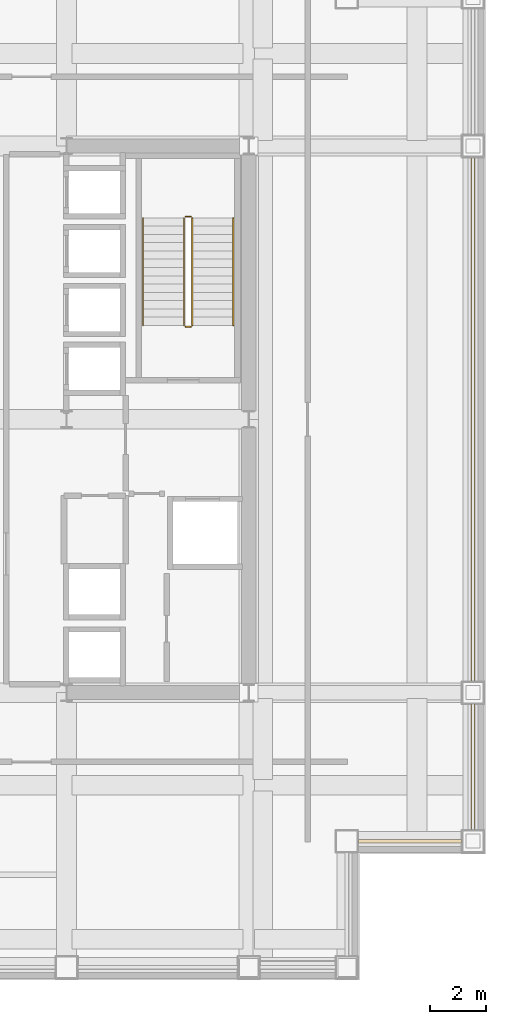
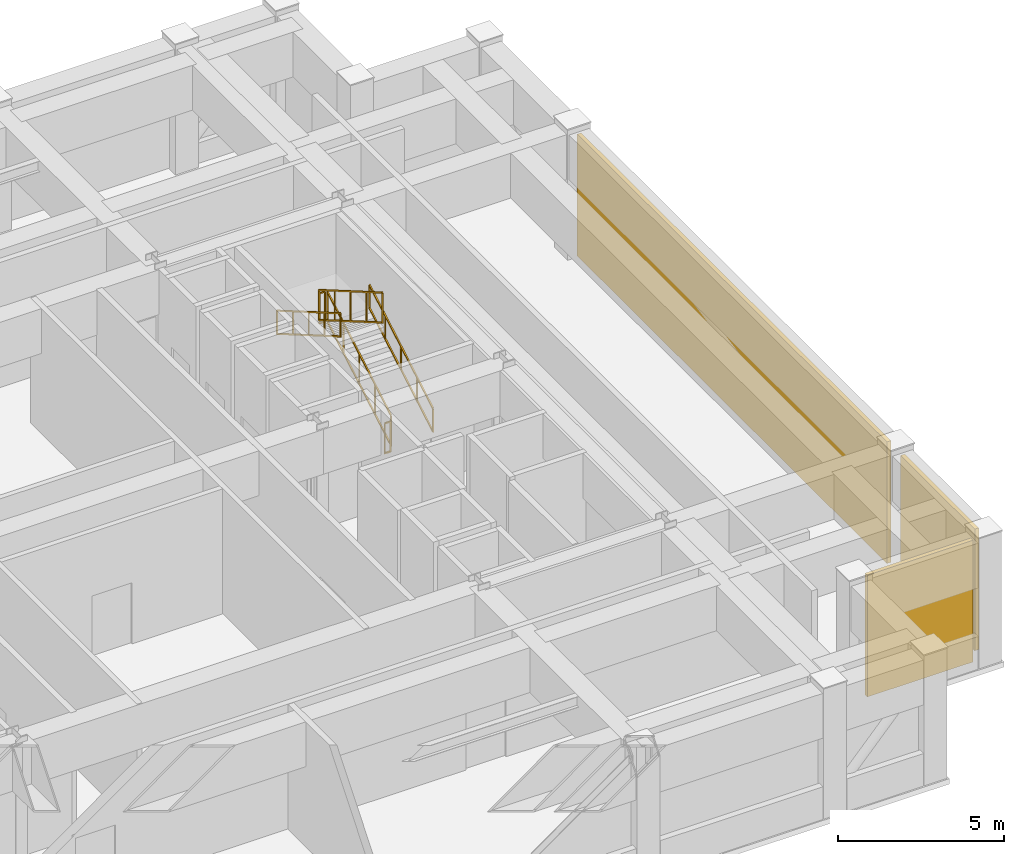
# One storey, part 8 of 9: 6 railings, 3 shading devices.
"""IFC4 building model written with IfcOpenShell, lengths in metres."""

import ifcopenshell
import ifcopenshell.guid

model = None  # the IFC model being written
_history = None  # IfcOwnerHistory: only IFC2X3 demands one
_inside = {}  # id of a spatial element -> (the spatial element, [elements in it])
_under = {}  # id of a project, library or spatial element -> (it, [spatial elements below it])
_declared = {}  # id of a project -> (the project, [libraries it declares])
_typed = {}  # id of a type object -> (the type object, [elements of that type])
_made_of = {}  # id of a material, layer set ... -> (it, [elements and type objects made of it])


def new_model(schema):
    """Start an empty IFC model of exactly this schema.

    Asked for "IFC4X3", IfcOpenShell would pick the latest addendum, in which some entities
    have other attributes; the version numbers below select the first issue.
    IFC2X3 requires an IfcOwnerHistory on every rooted entity: one is made here for all.
    """
    global model, _history
    if schema == "IFC4X3":
        model = ifcopenshell.file(schema_version=(4, 3, 0, 0))
    else:
        model = ifcopenshell.file(schema=schema)
    _inside.clear()
    _under.clear()
    _declared.clear()
    _typed.clear()
    _made_of.clear()
    _history = None
    if model.schema == "IFC2X3":
        org = make("IfcOrganization", Name="unknown")
        user = make(
            "IfcPersonAndOrganization",
            ThePerson=make("IfcPerson", FamilyName="unknown"),
            TheOrganization=org,
        )
        app = make(
            "IfcApplication",
            ApplicationDeveloper=org,
            Version="unknown",
            ApplicationFullName="unknown",
            ApplicationIdentifier="unknown",
        )
        _history = make(
            "IfcOwnerHistory",
            OwningUser=user,
            OwningApplication=app,
            ChangeAction="ADDED",
            CreationDate=0,
        )
    return model


def make(cls, **values):
    """One entity of the class cls with the attributes given. An attribute that is None is left unset."""
    return model.create_entity(
        cls, **{name: value for name, value in values.items() if value is not None}
    )


def rooted(cls, **values):
    """An entity with a GlobalId (a new one), such as an element, a storey or a relation."""
    return make(cls, GlobalId=ifcopenshell.guid.new(), OwnerHistory=_history, **values)


def si_unit(unit_type, name, prefix=None):
    """IfcSIUnit, for example si_unit("LENGTHUNIT", "METRE", prefix="MILLI")."""
    return make("IfcSIUnit", UnitType=unit_type, Prefix=prefix, Name=name)


def assignment(units):
    """IfcUnitAssignment: the units of a project."""
    return None if units is None else make("IfcUnitAssignment", Units=units)


def point(xyz):
    """IfcCartesianPoint."""
    return None if xyz is None else make("IfcCartesianPoint", Coordinates=xyz)


def direction(xyz):
    """IfcDirection."""
    return None if xyz is None else make("IfcDirection", DirectionRatios=xyz)


def frame(location, z_axis=None, x_axis=None):
    """IfcAxis2Placement3D, a coordinate frame: its origin and axes. An axis left out is left unset."""
    return make(
        "IfcAxis2Placement3D",
        Location=point(location),
        Axis=direction(z_axis),
        RefDirection=direction(x_axis),
    )


def frame_2d(location, x_axis=None):
    """IfcAxis2Placement2D, a coordinate frame in the plane: its origin and x axis."""
    return make(
        "IfcAxis2Placement2D", Location=point(location), RefDirection=direction(x_axis)
    )


def origin():
    """The frame at (0, 0, 0) with its axes left unset."""
    return frame((0.0, 0.0, 0.0))


def origin_2d():
    """The frame at (0, 0) in the plane with its x axis left unset."""
    return frame_2d((0.0, 0.0))


def place(relative_to, where):
    """IfcLocalPlacement: puts the frame where relative to a parent placement (None: the world)."""
    return make(
        "IfcLocalPlacement", PlacementRelTo=relative_to, RelativePlacement=where
    )


def context(
    kind, dimensions, precision=None, world=None, true_north=None, identifier=None
):
    """IfcGeometricRepresentationContext, for example the 3D "Model" context."""
    return make(
        "IfcGeometricRepresentationContext",
        ContextIdentifier=identifier,
        ContextType=kind,
        CoordinateSpaceDimension=dimensions,
        Precision=precision,
        WorldCoordinateSystem=world,
        TrueNorth=true_north,
    )


def subcontext(parent, identifier, kind, view, scale=None):
    """IfcGeometricRepresentationSubContext, for example "Body" below "Model"."""
    return make(
        "IfcGeometricRepresentationSubContext",
        ContextIdentifier=identifier,
        ContextType=kind,
        ParentContext=parent,
        TargetScale=scale,
        TargetView=view,
    )


def project(units=None, contexts=None):
    """IfcProject with its units and contexts."""
    return rooted(
        "IfcProject",
        Name="project",
        RepresentationContexts=contexts,
        UnitsInContext=assignment(units),
    )


def spatial(cls, under=None, at=None, **own):
    """A site, building, storey or space (cls), placed at a placement, below another one or the project."""
    s = rooted(cls, ObjectPlacement=at, **own)
    if under is not None:
        _under.setdefault(under.id(), (under, []))[1].append(s)
    return s


def profile(cls, at=None, kind="AREA", **sizes):
    """A parametric profile (cls). Its sizes go by their IFC names, for example OverallWidth=200.0."""
    return make(cls, ProfileType=kind, Position=at, **sizes)


def rectangle(**sizes):
    """IfcRectangleProfileDef."""
    return profile("IfcRectangleProfileDef", **sizes)


def extrude(swept, where, along, depth):
    """IfcExtrudedAreaSolid: the profile swept, set in the frame where, extruded along a direction by depth."""
    return make(
        "IfcExtrudedAreaSolid",
        SweptArea=swept,
        Position=where,
        ExtrudedDirection=direction(along),
        Depth=depth,
    )


def shape(context_of_items, identifier, shape_type, items):
    """IfcShapeRepresentation: the items that make up one representation, for example the "Body"."""
    return make(
        "IfcShapeRepresentation",
        ContextOfItems=context_of_items,
        RepresentationIdentifier=identifier,
        RepresentationType=shape_type,
        Items=items,
    )


def material(Name=None, Category=None):
    """IfcMaterial."""
    return make("IfcMaterial", Name=Name, Category=Category)


def layer(
    of_material, thickness, ventilated=None, Name=None, Category=None, Priority=None
):
    """IfcMaterialLayer: one layer of a wall or slab, of a material (None: an air gap)."""
    return make(
        "IfcMaterialLayer",
        Material=of_material,
        LayerThickness=thickness,
        IsVentilated=ventilated,
        Name=Name,
        Category=Category,
        Priority=Priority,
    )


def layer_set(layers, Name=None):
    """IfcMaterialLayerSet."""
    return make("IfcMaterialLayerSet", MaterialLayers=layers, LayerSetName=Name)


def made_of(thing, what):
    """Note that an element or type object is made of a material, layer set ...; save() writes the relation."""
    if what is not None:
        _made_of.setdefault(what.id(), (what, []))[1].append(thing)
    return thing


def type_object(cls, material=None, **own):
    """A type object (cls), such as IfcWallType, which elements share."""
    return made_of(rooted(cls, **own), material)


def element(
    cls,
    number,
    at=None,
    inside=None,
    cuts=None,
    type_object=None,
    material=None,
    context=None,
    identifier="Body",
    shape_type=None,
    held_by="IfcProductDefinitionShape",
    body=None,
    shapes=None,
    **own,
):
    """One element of the class cls, such as IfcWall. Its Tag is "e" and its number.

    at: its placement. inside: the storey or other place that contains it. cuts: it is an
    opening in that element (IfcRelVoidsElement). A single representation is given by context,
    identifier, shape_type and body (its items); several are given by shapes. held_by: the class
    of the entity that holds the representations. save() writes the other relations.
    """
    e = rooted(cls, Tag="e%d" % number, ObjectPlacement=at, **own)
    if body is not None:
        shapes = [shape(context, identifier, shape_type, body)]
    if shapes is not None:
        e.Representation = make(held_by, Representations=shapes)
    if inside is not None:
        _inside.setdefault(inside.id(), (inside, []))[1].append(e)
    if cuts is not None:
        rooted(
            "IfcRelVoidsElement", RelatingBuildingElement=cuts, RelatedOpeningElement=e
        )
    if type_object is not None:
        _typed.setdefault(type_object.id(), (type_object, []))[1].append(e)
    return made_of(e, material)


def aggregate(whole, parts):
    """IfcRelAggregates: a whole, such as a stair, and the parts it consists of."""
    return rooted("IfcRelAggregates", RelatingObject=whole, RelatedObjects=parts)


def save(model, path):
    """Write the relations noted so far, then the file.

    IfcRelAggregates (storeys below a building ...), IfcRelContainedInSpatialStructure (elements
    in a storey), IfcRelDefinesByType, IfcRelAssociatesMaterial and IfcRelDeclares: one each for
    every whole, place, type object, material and project.
    """
    for whole, parts in _under.values():
        aggregate(whole, parts)
    for where, things in _inside.values():
        rooted(
            "IfcRelContainedInSpatialStructure",
            RelatedElements=things,
            RelatingStructure=where,
        )
    for kind, things in _typed.values():
        rooted("IfcRelDefinesByType", RelatedObjects=things, RelatingType=kind)
    for what, things in _made_of.values():
        rooted("IfcRelAssociatesMaterial", RelatedObjects=things, RelatingMaterial=what)
    for by, libraries in _declared.values():
        rooted("IfcRelDeclares", RelatingContext=by, RelatedDefinitions=libraries)
    model.write(path)


model = new_model("IFC4")

# Units and contexts
model_context = context("Model", 3, precision=1e-05, world=origin(), true_north=direction((0.0, 1.0)))
body_context = subcontext(model_context, "Body", "Model", "MODEL_VIEW")
ifc_project = project(units=[si_unit("LENGTHUNIT", "METRE"), si_unit("AREAUNIT", "SQUARE_METRE"), si_unit("VOLUMEUNIT", "CUBIC_METRE"), si_unit("PLANEANGLEUNIT", "RADIAN"), si_unit("MASSUNIT", "GRAM", prefix="KILO")], contexts=[model_context])

# Site, building, storey
site_placement = place(None, origin())
site = spatial("IfcSite", under=ifc_project, at=site_placement, CompositionType="ELEMENT")
building_placement = place(site_placement, origin())
building = spatial("IfcBuilding", under=site, at=building_placement, Name="Brelmoor Portico Tower", CompositionType="ELEMENT")
storey_placement = place(building_placement, frame((0.0, 0.0, 145.800048828125)))
storey = spatial("IfcBuildingStorey", under=building, at=storey_placement, Name="L38", CompositionType="ELEMENT", Elevation=145.800048828125)

# Railings
ifc_material_1 = material(Name="Painted Tubular Steel Q235B", Category="steel")
railing_type_1 = type_object("IfcRailingType", Name="RL-STAIR-GUARD", PredefinedType="GUARDRAIL", material=ifc_material_1)
railing_1_placement = place(storey_placement, frame((12.5400390625, 3.35009765625, 0.17138671875)))
element("IfcRailing", 1, at=railing_1_placement, inside=storey, type_object=railing_type_1, Name="L38 ST-E stair guard 1", PredefinedType="GUARDRAIL", context=body_context, shape_type="SweptSolid", body=[
    extrude(rectangle(XDim=0.048095703125, YDim=0.048095703125, at=origin_2d()), frame((0.0, 0.0, 1.1259765625), z_axis=(0.0, 0.86461618451, 0.502432934314), x_axis=(-1.0, 0.0, 0.0)), (0.0, 0.0, 1.0), 4.435546875),
    extrude(rectangle(XDim=0.048095703125, YDim=0.048095703125, at=origin_2d()), frame((0.0, 0.0, 0.02392578125), z_axis=(0.0, 0.86461618451, 0.502432934314), x_axis=(-1.0, 0.0, 0.0)), (0.0, 0.0, 1.0), 4.435546875),
    extrude(rectangle(XDim=0.0419921875, YDim=0.0419921875, at=origin_2d()), origin(), (0.0, 0.0, 1.0), 1.101806640625),
    extrude(rectangle(XDim=0.0419921875, YDim=0.0419921875, at=origin_2d()), frame((0.0, 0.958740234375, 0.55712890625)), (0.0, 0.0, 1.0), 1.101806640625),
    extrude(rectangle(XDim=0.0419921875, YDim=0.0419921875, at=origin_2d()), frame((0.0, 1.91748046875, 1.1142578125)), (0.0, 0.0, 1.0), 1.101806640625),
    extrude(rectangle(XDim=0.0419921875, YDim=0.0419921875, at=origin_2d()), frame((0.0, 2.876220703125, 1.67138671875)), (0.0, 0.0, 1.0), 1.101806640625),
    extrude(rectangle(XDim=0.0419921875, YDim=0.0419921875, at=origin_2d()), frame((0.0, 3.8349609375, 2.228515625)), (0.0, 0.0, 1.0), 1.101806640625),
])
railing_2_placement = place(storey_placement, frame((12.489990234375, 7.235107421875, 2.39990234375)))
element("IfcRailing", 2, at=railing_2_placement, inside=storey, type_object=railing_type_1, Name="L38 ST-E stair guard 2", PredefinedType="GUARDRAIL", context=body_context, shape_type="SweptSolid", body=[
    extrude(rectangle(XDim=0.048095703125, YDim=0.048095703125, at=origin_2d()), frame((0.0, 0.0, 1.1259765625), z_axis=(-1.0, 0.0, 0.0), x_axis=(0.0, -1.0, 0.0)), (0.0, 0.0, 1.0), 0.199951171875),
    extrude(rectangle(XDim=0.048095703125, YDim=0.048095703125, at=origin_2d()), frame((0.0, 0.0, 0.02392578125), z_axis=(-1.0, 0.0, 0.0), x_axis=(0.0, -1.0, 0.0)), (0.0, 0.0, 1.0), 0.199951171875),
    extrude(rectangle(XDim=0.0419921875, YDim=0.0419921875, at=origin_2d()), origin(), (0.0, 0.0, 1.0), 1.101806640625),
    extrude(rectangle(XDim=0.0419921875, YDim=0.0419921875, at=origin_2d()), frame((-0.199951171875, 0.0, 0.0)), (0.0, 0.0, 1.0), 1.101806640625),
])
railing_3_placement = place(storey_placement, frame((12.239990234375, 7.18505859375, 2.5712890625)))
element("IfcRailing", 3, at=railing_3_placement, inside=storey, type_object=railing_type_1, Name="L38 ST-E stair guard 3", PredefinedType="GUARDRAIL", context=body_context, shape_type="SweptSolid", body=[
    extrude(rectangle(XDim=0.048095703125, YDim=0.048095703125, at=origin_2d()), frame((0.0, 0.0, 1.1259765625), z_axis=(0.0, -0.864592272851, 0.502474080651), x_axis=(1.0, 0.0, 0.0)), (0.0, 0.0, 1.0), 4.435546875),
    extrude(rectangle(XDim=0.048095703125, YDim=0.048095703125, at=origin_2d()), frame((0.0, 0.0, 0.02392578125), z_axis=(0.0, -0.864592272851, 0.502474080651), x_axis=(1.0, 0.0, 0.0)), (0.0, 0.0, 1.0), 4.435546875),
    extrude(rectangle(XDim=0.0419921875, YDim=0.0419921875, at=origin_2d()), origin(), (0.0, 0.0, 1.0), 1.101806640625),
    extrude(rectangle(XDim=0.0419921875, YDim=0.0419921875, at=origin_2d()), frame((0.0, -0.958740234375, 0.55712890625)), (0.0, 0.0, 1.0), 1.101806640625),
    extrude(rectangle(XDim=0.0419921875, YDim=0.0419921875, at=origin_2d()), frame((0.0, -1.91748046875, 1.1142578125)), (0.0, 0.0, 1.0), 1.101806640625),
    extrude(rectangle(XDim=0.0419921875, YDim=0.0419921875, at=origin_2d()), frame((0.0, -2.876220703125, 1.671630859375)), (0.0, 0.0, 1.0), 1.101806640625),
    extrude(rectangle(XDim=0.0419921875, YDim=0.0419921875, at=origin_2d()), frame((0.0, -3.8349609375, 2.228759765625)), (0.0, 0.0, 1.0), 1.101806640625),
])
railing_4_placement = place(storey_placement, frame((12.489990234375, 3.300048828125, 0.0)))
element("IfcRailing", 4, at=railing_4_placement, inside=storey, type_object=railing_type_1, Name="L38 ST-E stair guard 4", PredefinedType="GUARDRAIL", context=body_context, shape_type="SweptSolid", body=[
    extrude(rectangle(XDim=0.048095703125, YDim=0.048095703125, at=origin_2d()), frame((0.0, 0.0, 1.1259765625), z_axis=(-1.0, 0.0, 0.0), x_axis=(0.0, -1.0, 0.0)), (0.0, 0.0, 1.0), 0.199951171875),
    extrude(rectangle(XDim=0.048095703125, YDim=0.048095703125, at=origin_2d()), frame((0.0, 0.0, 0.02392578125), z_axis=(-1.0, 0.0, 0.0), x_axis=(0.0, -1.0, 0.0)), (0.0, 0.0, 1.0), 0.199951171875),
    extrude(rectangle(XDim=0.0419921875, YDim=0.0419921875, at=origin_2d()), origin(), (0.0, 0.0, 1.0), 1.101806640625),
    extrude(rectangle(XDim=0.0419921875, YDim=0.0419921875, at=origin_2d()), frame((-0.199951171875, 0.0, 0.0)), (0.0, 0.0, 1.0), 1.101806640625),
])
ifc_material_2 = material(Name="Brushed Stainless Steel 304", Category="steel")
railing_type_2 = type_object("IfcRailingType", Name="RL-STAIR-HANDRAIL", PredefinedType="HANDRAIL", material=ifc_material_2)
railing_5_placement = place(storey_placement, frame((14.0, 3.35009765625, 0.17138671875)))
element("IfcRailing", 5, at=railing_5_placement, inside=storey, type_object=railing_type_2, Name="L38 ST-E stair handrail 1", PredefinedType="HANDRAIL", context=body_context, shape_type="SweptSolid", body=[
    extrude(rectangle(XDim=0.048095703125, YDim=0.048095703125, at=origin_2d()), frame((0.0, 0.0, 0.8759765625), z_axis=(0.0, 0.86461618451, 0.502432934314), x_axis=(-1.0, 0.0, 0.0)), (0.0, 0.0, 1.0), 4.435546875),
    extrude(rectangle(XDim=0.048095703125, YDim=0.048095703125, at=origin_2d()), frame((0.0, 0.0, 0.02392578125), z_axis=(0.0, 0.86461618451, 0.502432934314), x_axis=(-1.0, 0.0, 0.0)), (0.0, 0.0, 1.0), 4.435546875),
    extrude(rectangle(XDim=0.0419921875, YDim=0.0419921875, at=origin_2d()), origin(), (0.0, 0.0, 1.0), 0.851806640625),
    extrude(rectangle(XDim=0.0419921875, YDim=0.0419921875, at=origin_2d()), frame((0.0, 0.958740234375, 0.55712890625)), (0.0, 0.0, 1.0), 0.851806640625),
    extrude(rectangle(XDim=0.0419921875, YDim=0.0419921875, at=origin_2d()), frame((0.0, 1.91748046875, 1.1142578125)), (0.0, 0.0, 1.0), 0.851806640625),
    extrude(rectangle(XDim=0.0419921875, YDim=0.0419921875, at=origin_2d()), frame((0.0, 2.876220703125, 1.67138671875)), (0.0, 0.0, 1.0), 0.851806640625),
    extrude(rectangle(XDim=0.0419921875, YDim=0.0419921875, at=origin_2d()), frame((0.0, 3.8349609375, 2.228515625)), (0.0, 0.0, 1.0), 0.851806640625),
])
railing_6_placement = place(storey_placement, frame((10.780029296875, 7.18505859375, 2.5712890625)))
element("IfcRailing", 6, at=railing_6_placement, inside=storey, type_object=railing_type_2, Name="L38 ST-E stair handrail 2", PredefinedType="HANDRAIL", context=body_context, shape_type="SweptSolid", body=[
    extrude(rectangle(XDim=0.048095703125, YDim=0.048095703125, at=origin_2d()), frame((0.0, 0.0, 0.8759765625), z_axis=(0.0, -0.864592272851, 0.502474080651), x_axis=(1.0, 0.0, 0.0)), (0.0, 0.0, 1.0), 4.435546875),
    extrude(rectangle(XDim=0.048095703125, YDim=0.048095703125, at=origin_2d()), frame((0.0, 0.0, 0.02392578125), z_axis=(0.0, -0.864592272851, 0.502474080651), x_axis=(1.0, 0.0, 0.0)), (0.0, 0.0, 1.0), 4.435546875),
    extrude(rectangle(XDim=0.0419921875, YDim=0.0419921875, at=origin_2d()), origin(), (0.0, 0.0, 1.0), 0.851806640625),
    extrude(rectangle(XDim=0.0419921875, YDim=0.0419921875, at=origin_2d()), frame((0.0, -0.958740234375, 0.55712890625)), (0.0, 0.0, 1.0), 0.851806640625),
    extrude(rectangle(XDim=0.0419921875, YDim=0.0419921875, at=origin_2d()), frame((0.0, -1.91748046875, 1.1142578125)), (0.0, 0.0, 1.0), 0.851806640625),
    extrude(rectangle(XDim=0.0419921875, YDim=0.0419921875, at=origin_2d()), frame((0.0, -2.876220703125, 1.671630859375)), (0.0, 0.0, 1.0), 0.851806640625),
    extrude(rectangle(XDim=0.0419921875, YDim=0.0419921875, at=origin_2d()), frame((0.0, -3.8349609375, 2.228759765625)), (0.0, 0.0, 1.0), 0.851806640625),
])

# Shading devices
ifc_material_3 = material(Name="Extruded Aluminium Acoustic Weather Louvre", Category="aluminium")
ifc_layer = layer(ifc_material_3, 0.139892578125)
ifc_layer_set = layer_set([ifc_layer], Name="Extruded Aluminium Acoustic Weather Louvre")
shading_device_type = type_object("IfcShadingDeviceType", Name="SD-PLANT-LOUVRE", PredefinedType="USERDEFINED", material=ifc_layer_set)
shading_device_1_placement = place(storey_placement, frame((22.550048828125, -12.39990234375, 0.06005859375), z_axis=(0.0, 0.0, 1.0), x_axis=(0.0, 1.0, 0.0)))
element("IfcShadingDevice", 7, at=shading_device_1_placement, inside=storey, type_object=shading_device_type, Name="L38 Acoustic Plant Louvre E-1", ObjectType="LOUVRE", PredefinedType="USERDEFINED", context=body_context, shape_type="SweptSolid", body=[
    extrude(rectangle(XDim=4.47998046875, YDim=0.139892578125, at=origin_2d()), origin(), (0.0, 0.0, 1.0), 4.47998046875),
])
shading_device_2_placement = place(storey_placement, frame((22.550048828125, 0.0, 0.06005859375), z_axis=(0.0, 0.0, 1.0), x_axis=(0.0, 1.0, 0.0)))
element("IfcShadingDevice", 8, at=shading_device_2_placement, inside=storey, type_object=shading_device_type, Name="L38 Acoustic Plant Louvre E-2", ObjectType="LOUVRE", PredefinedType="USERDEFINED", context=body_context, shape_type="SweptSolid", body=[
    extrude(rectangle(XDim=18.679931640625, YDim=0.139892578125, at=origin_2d()), origin(), (0.0, 0.0, 1.0), 4.47998046875),
])
shading_device_3_placement = place(storey_placement, frame((20.300048828125, -15.050048828125, 0.06005859375), z_axis=(0.0, 0.0, 1.0), x_axis=(1.0, 0.0, 0.0)))
element("IfcShadingDevice", 9, at=shading_device_3_placement, inside=storey, type_object=shading_device_type, Name="L38 Acoustic Plant Louvre SE2-1", ObjectType="LOUVRE", PredefinedType="USERDEFINED", context=body_context, shape_type="SweptSolid", body=[
    extrude(rectangle(XDim=3.679931640625, YDim=0.139892578125, at=origin_2d()), origin(), (0.0, 0.0, 1.0), 4.47998046875),
])

save(model, "model.ifc")
